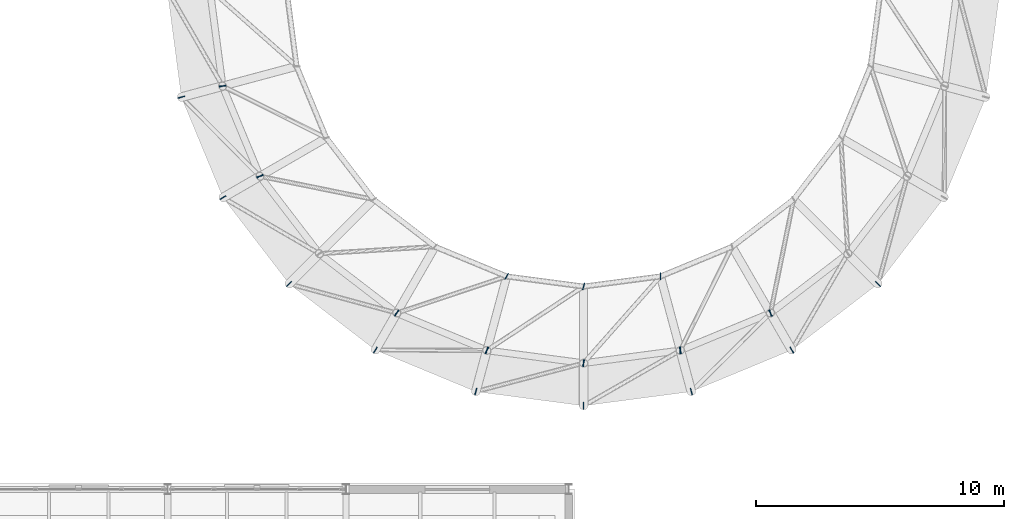
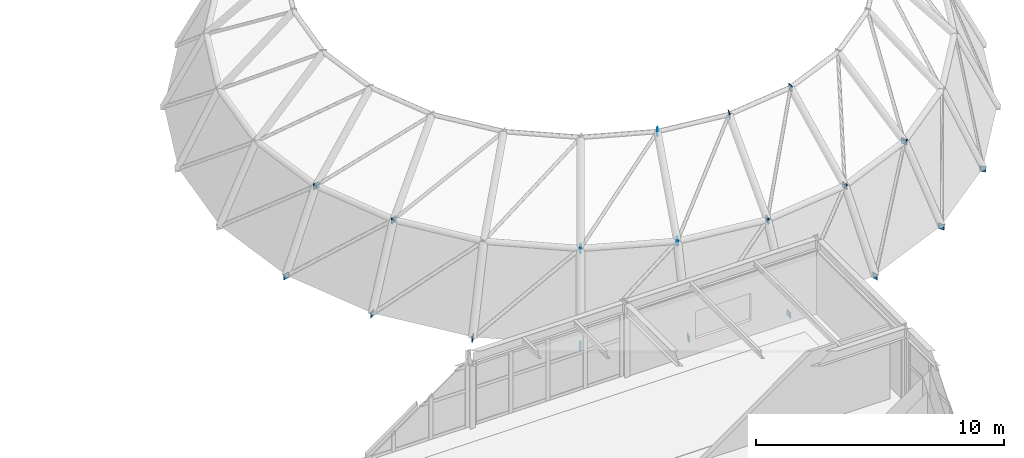
# One storey, part 38 of 48: 26 discrete accessories.
"""IFC4 building model written with IfcOpenShell, lengths in metres."""

from ifc_helpers import new_model, si_unit, direction, frame, origin, origin_2d, place, context, subcontext, project, spatial, rectangle, extrude, material, type_object, element, save


model = new_model("IFC4")

# Units and contexts
model_context = context("Model", 3, precision=1e-05, world=origin(), true_north=direction((0.0, 1.0)))
body_context = subcontext(model_context, "Body", "Model", "MODEL_VIEW")
ifc_project = project(units=[si_unit("LENGTHUNIT", "METRE"), si_unit("AREAUNIT", "SQUARE_METRE"), si_unit("VOLUMEUNIT", "CUBIC_METRE"), si_unit("PLANEANGLEUNIT", "RADIAN"), si_unit("MASSUNIT", "GRAM", prefix="KILO")], contexts=[model_context])

# Site, building, storey
site_placement = place(None, origin())
site = spatial("IfcSite", under=ifc_project, at=site_placement, CompositionType="ELEMENT")
building_placement = place(site_placement, origin())
building = spatial("IfcBuilding", under=site, at=building_placement, Name="Kandorven Conservatory and Botanical Research Centre", CompositionType="ELEMENT")
storey_placement = place(building_placement, frame((0.0, 0.0, 13.199951171875)))
storey = spatial("IfcBuildingStorey", under=building, at=storey_placement, Name="L03", CompositionType="ELEMENT", Elevation=13.199951171875)

# Discrete accessories
ifc_material = material(Name="Steel S355 (IS 2062 E350)", Category="steel")
discrete_accessory_type = type_object("IfcDiscreteAccessoryType", Name="BraceGussetPlate", PredefinedType="BRACKET", material=ifc_material)
for number, where, z_axis, x_axis, name in (
    (1, (73.014404296875, 43.891845703125, 1.06005859375), (0.0, 0.0, 1.0), (-1.0, 0.0, 0.0), "Conservatory dome node gusset plate T1-S13-B"),
    (2, (71.348388671875, 43.4453125, -2.5400390625), (0.0, 0.0, 1.0), (-0.965925826289, -0.258819045103, 0.0), "Conservatory dome node gusset plate T1-S14-A"),
    (3, (74.52294921875, 40.25, 1.06005859375), (0.0, 0.0, 1.0), (-0.965925826289, -0.258819045103, 0.0), "Conservatory dome node gusset plate T1-S14-B"),
    (4, (73.029052734375, 39.387451171875, -2.5400390625), (0.0, 0.0, 1.0), (-0.866025403784, -0.5, 0.0), "Conservatory dome node gusset plate T1-S15-A"),
    (5, (75.702880859375, 35.90283203125, -2.5400390625), (0.0, 0.0, 1.0), (-0.707106781187, -0.707106781187, 0.0), "Conservatory dome node gusset plate T1-S16-A"),
    (6, (80.050048828125, 34.722900390625, 1.06005859375), (0.0, 0.0, 1.0), (-0.707106781187, -0.707106781187, 0.0), "Conservatory dome node gusset plate T1-S16-B"),
    (7, (79.1875, 33.22900390625, -2.5400390625), (0.0, 0.0, 1.0), (-0.5, -0.866025403784, 0.0), "Conservatory dome node gusset plate T1-S17-A"),
    (8, (83.69189453125, 33.214599609375, 1.06005859375), (0.0, 0.0, 1.0), (-0.5, -0.866025403784, 0.0), "Conservatory dome node gusset plate T1-S17-B"),
    (9, (83.245361328125, 31.54833984375, -2.5400390625), (0.0, 0.0, 1.0), (-0.258819045103, -0.965925826289, 0.0), "Conservatory dome node gusset plate T1-S18-A"),
    (10, (87.60009765625, 32.699951171875, 1.06005859375), (0.0, 0.0, 1.0), (-0.258819045103, -0.965925826289, 0.0), "Conservatory dome node gusset plate T1-S18-B"),
    (11, (87.60009765625, 30.97509765625, -2.5400390625), (0.0, 0.0, 1.0), (0.0, -1.0, 0.0), "Conservatory dome node gusset plate T1-S19-A"),
    (12, (91.50830078125, 33.214599609375, 1.06005859375), (0.0, 0.0, 1.0), (0.0, -1.0, 0.0), "Conservatory dome node gusset plate T1-S19-B"),
    (13, (91.95458984375, 31.54833984375, -2.5400390625), (0.0, 0.0, 1.0), (0.258819045103, -0.965925826289, 0.0), "Conservatory dome node gusset plate T1-S20-A"),
    (14, (95.14990234375, 34.722900390625, 1.06005859375), (0.0, 0.0, 1.0), (0.258819045103, -0.965925826289, 0.0), "Conservatory dome node gusset plate T1-S20-B"),
    (15, (96.012451171875, 33.22900390625, -2.5400390625), (0.0, 0.0, 1.0), (0.5, -0.866025403784, 0.0), "Conservatory dome node gusset plate T1-S21-A"),
    (16, (99.4970703125, 35.90283203125, -2.5400390625), (0.0, 0.0, 1.0), (0.707106781187, -0.707106781187, 0.0), "Conservatory dome node gusset plate T1-S22-A"),
    (17, (73.014404296875, 43.891845703125, 1.06005859375), (0.0, 0.0, 1.0), (-0.965925826289, -0.258819045103, 0.0), "Conservatory dome node gusset plate T2-S14-A"),
    (18, (74.52294921875, 40.25, 1.06005859375), (0.0, 0.0, 1.0), (-0.866025403784, -0.5, 0.0), "Conservatory dome node gusset plate T2-S15-A"),
    (19, (80.050048828125, 34.722900390625, 1.06005859375), (0.0, 0.0, 1.0), (-0.5, -0.866025403784, 0.0), "Conservatory dome node gusset plate T2-S17-A"),
    (20, (84.494140625, 36.208984375, 4.35986328125), (0.0, 0.0, 1.0), (-0.5, -0.866025403784, 0.0), "Conservatory dome node gusset plate T2-S17-B"),
    (21, (83.69189453125, 33.214599609375, 1.06005859375), (0.0, 0.0, 1.0), (-0.258819045103, -0.965925826289, 0.0), "Conservatory dome node gusset plate T2-S18-A"),
    (22, (87.60009765625, 35.800048828125, 4.35986328125), (0.0, 0.0, 1.0), (-0.258819045103, -0.965925826289, 0.0), "Conservatory dome node gusset plate T2-S18-B"),
    (23, (87.60009765625, 32.699951171875, 1.06005859375), (0.0, 0.0, 1.0), (0.0, -1.0, 0.0), "Conservatory dome node gusset plate T2-S19-A"),
    (24, (90.705810546875, 36.208984375, 4.35986328125), (0.0, 0.0, 1.0), (0.0, -1.0, 0.0), "Conservatory dome node gusset plate T2-S19-B"),
    (25, (91.50830078125, 33.214599609375, 1.06005859375), (0.0, 0.0, 1.0), (0.258819045103, -0.965925826289, 0.0), "Conservatory dome node gusset plate T2-S20-A"),
    (26, (95.14990234375, 34.722900390625, 1.06005859375), (0.0, 0.0, 1.0), (0.5, -0.866025403784, 0.0), "Conservatory dome node gusset plate T2-S21-A"),
):
    element("IfcDiscreteAccessory", number, at=place(storey_placement, frame(where, z_axis=z_axis, x_axis=x_axis)), inside=storey, type_object=discrete_accessory_type, Name=name, PredefinedType="BRACKET", context=body_context, shape_type="SweptSolid", body=[
        extrude(rectangle(XDim=0.280029296875, YDim=0.028076171875, at=origin_2d()), origin(), (0.0, 0.0, 1.0), 0.280029296875),
    ])

save(model, "model.ifc")
